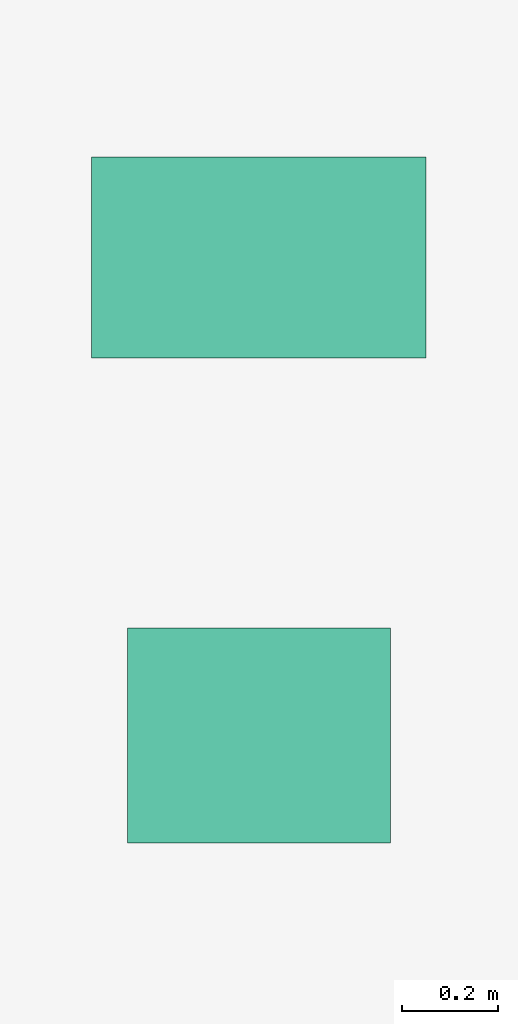
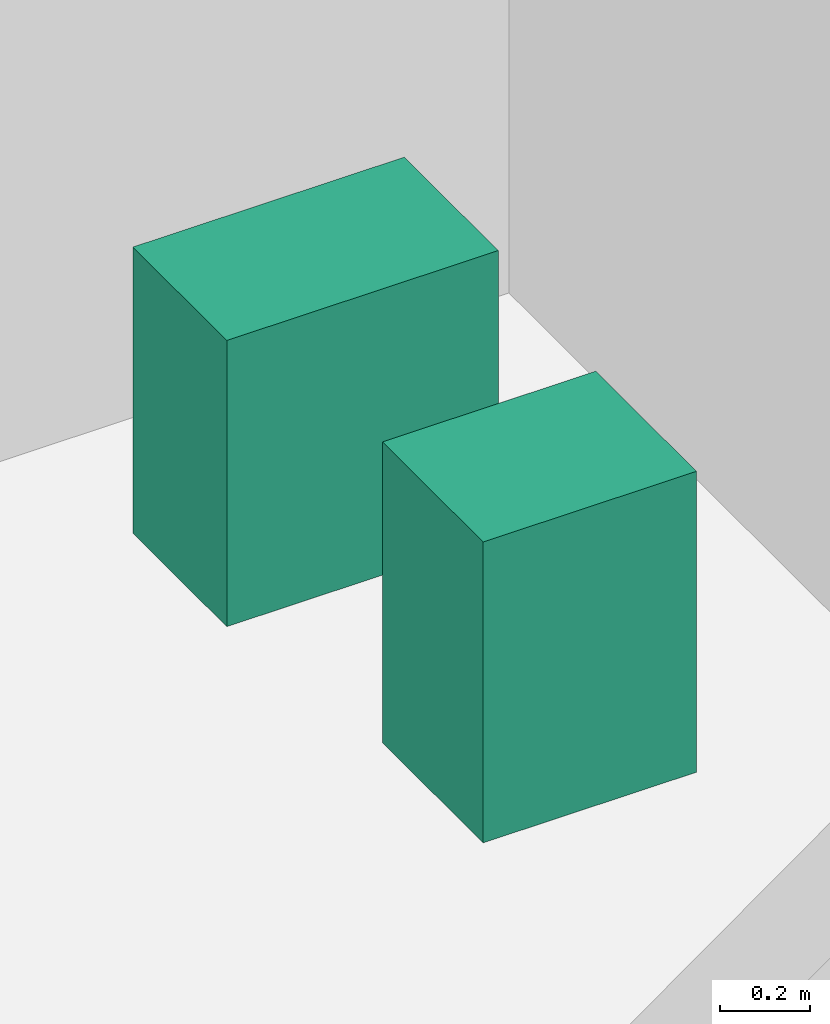
# One storey, part 17 of 18: 2 sanitary terminals.
"""IFC4 building model written with IfcOpenShell, lengths in metres."""

from ifc_helpers import new_model, si_unit, direction, frame, origin, origin_2d, place, context, subcontext, project, spatial, rectangle, extrude, source, transform, mapped, material, type_object, element, save


model = new_model("IFC4")

# Units and contexts
model_context = context("Model", 3, precision=1e-05, world=origin(), true_north=direction((0.0, 1.0)))
body_context = subcontext(model_context, "Body", "Model", "MODEL_VIEW")
ifc_project = project(units=[si_unit("LENGTHUNIT", "METRE"), si_unit("AREAUNIT", "SQUARE_METRE"), si_unit("VOLUMEUNIT", "CUBIC_METRE"), si_unit("PLANEANGLEUNIT", "RADIAN"), si_unit("MASSUNIT", "GRAM", prefix="KILO")], contexts=[model_context])

# Site, building, storey
site_placement = place(None, origin())
site = spatial("IfcSite", under=ifc_project, at=site_placement, CompositionType="ELEMENT")
building_placement = place(site_placement, origin())
building = spatial("IfcBuilding", under=site, at=building_placement, Name="Sumidabori Civic Tower", CompositionType="ELEMENT")
storey_placement = place(building_placement, origin())
storey = spatial("IfcBuildingStorey", under=building, at=storey_placement, Name="L00", CompositionType="ELEMENT", Elevation=0.0)

# Sanitary terminals
ifc_material = material(Name="Vitreous Sanitary Porcelain")
sanitary_terminal_type_1 = type_object("IfcSanitaryTerminalType", Name="SN-WC-1", PredefinedType="TOILETPAN", material=ifc_material)
shared_shape_1 = source(origin(), body_context, "Body", "SweptSolid", [
    extrude(rectangle(XDim=0.699951171875, YDim=0.419921875, at=origin_2d()), origin(), (0.0, 0.0, 1.0), 0.780029296875),
])
sanitary_terminal_1_placement = place(storey_placement, frame((10.800048828125, 21.85009765625, 0.0), z_axis=(0.0, 0.0, 1.0), x_axis=(1.0, 0.0, 0.0)))
element("IfcSanitaryTerminal", 1, at=sanitary_terminal_1_placement, inside=storey, type_object=sanitary_terminal_type_1, Name="Accessible WC Pan L00", PredefinedType="TOILETPAN", context=body_context, shape_type="MappedRepresentation", body=[
    mapped(shared_shape_1, transform((0.0, 0.0, 0.0), x_axis=(1.0, 0.0, 0.0), y_axis=(0.0, 1.0, 0.0), z_axis=(0.0, 0.0, 1.0), scale=1.0)),
])
sanitary_terminal_type_2 = type_object("IfcSanitaryTerminalType", Name="SN-BAS-1", PredefinedType="WASHHANDBASIN", material=ifc_material)
shared_shape_2 = source(origin(), body_context, "Body", "SweptSolid", [
    extrude(rectangle(XDim=0.550048828125, YDim=0.449951171875, at=origin_2d()), origin(), (0.0, 0.0, 1.0), 0.820068359375),
])
sanitary_terminal_2_placement = place(storey_placement, frame((10.800048828125, 20.85009765625, 0.0), z_axis=(0.0, 0.0, 1.0), x_axis=(1.0, 0.0, 0.0)))
element("IfcSanitaryTerminal", 2, at=sanitary_terminal_2_placement, inside=storey, type_object=sanitary_terminal_type_2, Name="Accessible Basin L00", PredefinedType="WASHHANDBASIN", context=body_context, shape_type="MappedRepresentation", body=[
    mapped(shared_shape_2, transform((0.0, 0.0, 0.0), x_axis=(1.0, 0.0, 0.0), y_axis=(0.0, 1.0, 0.0), z_axis=(0.0, 0.0, 1.0), scale=1.0)),
])

save(model, "model.ifc")
